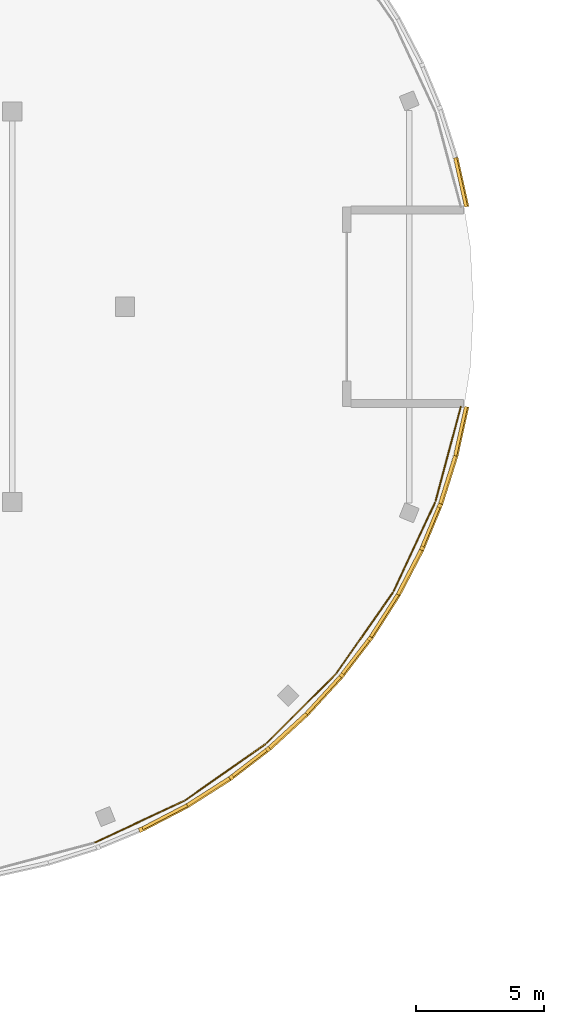
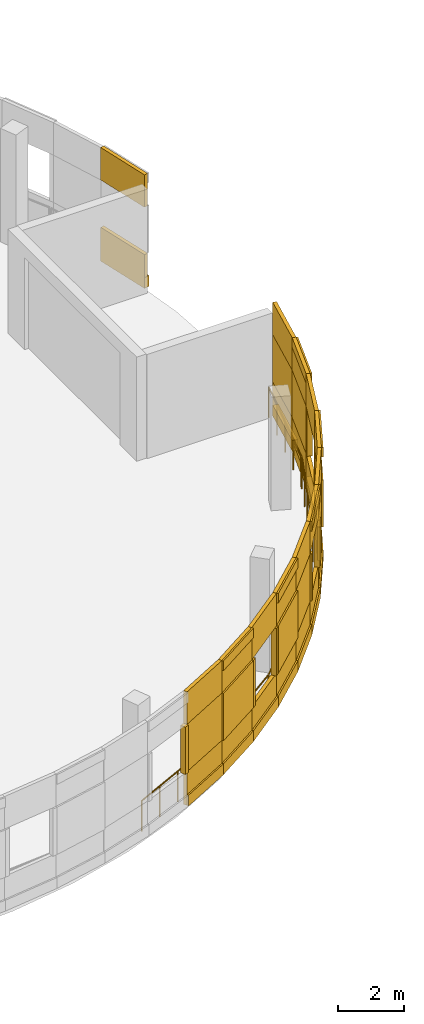
# One storey, part 137 of 140: 56 coverings, 6 railings.
"""IFC4 building model written with IfcOpenShell, lengths in metres."""

from ifc_helpers import new_model, si_unit, direction, frame, origin, origin_2d, place, context, subcontext, project, spatial, rectangle, circle, extrude, material, layer, layer_set, type_object, element, save


model = new_model("IFC4")

# Units and contexts
model_context = context("Model", 3, precision=1e-05, world=origin(), true_north=direction((0.0, 1.0)))
body_context = subcontext(model_context, "Body", "Model", "MODEL_VIEW")
ifc_project = project(units=[si_unit("LENGTHUNIT", "METRE"), si_unit("AREAUNIT", "SQUARE_METRE"), si_unit("VOLUMEUNIT", "CUBIC_METRE"), si_unit("PLANEANGLEUNIT", "RADIAN"), si_unit("MASSUNIT", "GRAM", prefix="KILO")], contexts=[model_context])

# Site, building, storey
site_placement = place(None, origin())
site = spatial("IfcSite", under=ifc_project, at=site_placement, CompositionType="ELEMENT")
building_placement = place(site_placement, origin())
building = spatial("IfcBuilding", under=site, at=building_placement, Name="Deido Ridge Mobility Hub", CompositionType="ELEMENT")
storey_placement = place(building_placement, origin())
storey = spatial("IfcBuildingStorey", under=building, at=storey_placement, Name="L00", CompositionType="ELEMENT", Elevation=0.0)

# Coverings
ifc_material_1 = material(Name="Fired clay brick masonry", Category="masonry")
ifc_layer = layer(ifc_material_1, 0.114990234375, Name="Fired clay brick masonry")
ifc_layer_set = layer_set([ifc_layer], Name="Fired clay brick masonry")
covering_type = type_object("IfcCoveringType", Name="COV-BRK-SCREEN-115", PredefinedType="CLADDING", material=ifc_layer_set)
covering_1_placement = place(storey_placement, frame((126.425048828125, 83.100341796875, 1.25), z_axis=(0.0, 0.0, 1.0), x_axis=(0.923872853285, 0.382699557047, 0.0)))
element("IfcCovering", 1, at=covering_1_placement, inside=storey, type_object=covering_type, Name="Curved brick jamb nib BKS1 (L00)", PredefinedType="CLADDING", context=body_context, shape_type="SweptSolid", body=[
    extrude(rectangle(XDim=0.152099609375, YDim=0.179931640625, at=origin_2d()), origin(), (0.0, 0.0, 1.0), 1.75),
])
covering_2_placement = place(storey_placement, frame((127.355224609375, 83.607666015625, 0.0), z_axis=(0.0, 0.0, 1.0), x_axis=(0.887018892077, 0.461733131905, 0.0)))
element("IfcCovering", 2, at=covering_2_placement, inside=storey, type_object=covering_type, Name="Open brickwork spandrel course BKS1 (L00)", PredefinedType="CLADDING", context=body_context, shape_type="SweptSolid", body=[
    extrude(rectangle(XDim=1.9619140625, YDim=0.125, at=origin_2d()), origin(), (0.0, 0.0, 1.0), 1.25),
])
covering_3_placement = place(storey_placement, frame((127.367919921875, 83.583251953125, 0.0), z_axis=(0.0, 0.0, 1.0), x_axis=(0.887018892077, 0.461733131905, 0.0)))
element("IfcCovering", 3, at=covering_3_placement, inside=storey, type_object=covering_type, Name="Raised brick relief belt BKS1 (L00)", PredefinedType="CLADDING", context=body_context, shape_type="SweptSolid", body=[
    extrude(rectangle(XDim=1.9619140625, YDim=0.179931640625, at=origin_2d()), origin(), (0.0, 0.0, 1.0), 0.39990234375),
])
covering_4_placement = place(storey_placement, frame((127.355224609375, 83.607666015625, 3.0), z_axis=(0.0, 0.0, 1.0), x_axis=(0.887018892077, 0.461733131905, 0.0)))
element("IfcCovering", 4, at=covering_4_placement, inside=storey, type_object=covering_type, Name="Open brickwork lintel course BKS1 (L00)", PredefinedType="CLADDING", context=body_context, shape_type="SweptSolid", body=[
    extrude(rectangle(XDim=1.9619140625, YDim=0.125, at=origin_2d()), origin(), (0.0, 0.0, 1.0), 1.199951171875),
])
covering_5_placement = place(storey_placement, frame((127.355224609375, 83.607666015625, 1.25), z_axis=(0.0, 0.0, 1.0), x_axis=(0.887018892077, 0.461733131905, 0.0)))
element("IfcCovering", 5, at=covering_5_placement, inside=storey, type_object=covering_type, Name="Curved raised brickwork pier BKS1 (L00)", PredefinedType="CLADDING", context=body_context, shape_type="SweptSolid", body=[
    extrude(rectangle(XDim=1.9619140625, YDim=0.125, at=origin_2d()), origin(), (0.0, 0.0, 1.0), 1.75),
])
covering_6_placement = place(storey_placement, frame((129.049560546875, 84.5859375, 0.0), z_axis=(0.0, 0.0, 1.0), x_axis=(0.843382068037, 0.537314328223, 0.0)))
element("IfcCovering", 6, at=covering_6_placement, inside=storey, type_object=covering_type, Name="Open brickwork spandrel course BKS1 (L00)", PredefinedType="CLADDING", context=body_context, shape_type="SweptSolid", body=[
    extrude(rectangle(XDim=1.9619140625, YDim=0.125, at=origin_2d()), origin(), (0.0, 0.0, 1.0), 1.25),
])
covering_7_placement = place(storey_placement, frame((129.064208984375, 84.562744140625, 0.0), z_axis=(0.0, 0.0, 1.0), x_axis=(0.843382068037, 0.537314328223, 0.0)))
element("IfcCovering", 7, at=covering_7_placement, inside=storey, type_object=covering_type, Name="Raised brick relief belt BKS1 (L00)", PredefinedType="CLADDING", context=body_context, shape_type="SweptSolid", body=[
    extrude(rectangle(XDim=1.9619140625, YDim=0.179931640625, at=origin_2d()), origin(), (0.0, 0.0, 1.0), 0.39990234375),
])
covering_8_placement = place(storey_placement, frame((129.049560546875, 84.5859375, 3.0), z_axis=(0.0, 0.0, 1.0), x_axis=(0.843382068037, 0.537314328223, 0.0)))
element("IfcCovering", 8, at=covering_8_placement, inside=storey, type_object=covering_type, Name="Open brickwork lintel course BKS1 (L00)", PredefinedType="CLADDING", context=body_context, shape_type="SweptSolid", body=[
    extrude(rectangle(XDim=1.9619140625, YDim=0.125, at=origin_2d()), origin(), (0.0, 0.0, 1.0), 1.199951171875),
])
covering_9_placement = place(storey_placement, frame((129.064208984375, 84.562744140625, 3.83984375), z_axis=(0.0, 0.0, 1.0), x_axis=(0.843382068037, 0.537314328223, 0.0)))
element("IfcCovering", 9, at=covering_9_placement, inside=storey, type_object=covering_type, Name="Raised brick relief cornice BKS1 (L00)", PredefinedType="CLADDING", context=body_context, shape_type="SweptSolid", body=[
    extrude(rectangle(XDim=1.9619140625, YDim=0.179931640625, at=origin_2d()), origin(), (0.0, 0.0, 1.0), 0.360107421875),
])
covering_10_placement = place(storey_placement, frame((129.064208984375, 84.562744140625, 1.25), z_axis=(0.0, 0.0, 1.0), x_axis=(0.843382068037, 0.537314328223, 0.0)))
element("IfcCovering", 10, at=covering_10_placement, inside=storey, type_object=covering_type, Name="Curved raised brickwork pier BKS1 (L00)", PredefinedType="CLADDING", context=body_context, shape_type="SweptSolid", body=[
    extrude(rectangle(XDim=1.9619140625, YDim=0.179931640625, at=origin_2d()), origin(), (0.0, 0.0, 1.0), 1.75),
])
covering_11_placement = place(storey_placement, frame((130.652099609375, 85.7080078125, 0.0), z_axis=(0.0, 0.0, 1.0), x_axis=(0.793353340291, 0.608761429009, 0.0)))
element("IfcCovering", 11, at=covering_11_placement, inside=storey, type_object=covering_type, Name="Open brickwork spandrel course BKS1 (L00)", PredefinedType="CLADDING", context=body_context, shape_type="SweptSolid", body=[
    extrude(rectangle(XDim=1.9619140625, YDim=0.125, at=origin_2d()), origin(), (0.0, 0.0, 1.0), 1.25),
])
covering_12_placement = place(storey_placement, frame((130.6689453125, 85.686279296875, 0.0), z_axis=(0.0, 0.0, 1.0), x_axis=(0.793353340291, 0.608761429009, 0.0)))
element("IfcCovering", 12, at=covering_12_placement, inside=storey, type_object=covering_type, Name="Raised brick relief belt BKS1 (L00)", PredefinedType="CLADDING", context=body_context, shape_type="SweptSolid", body=[
    extrude(rectangle(XDim=1.9619140625, YDim=0.179931640625, at=origin_2d()), origin(), (0.0, 0.0, 1.0), 0.39990234375),
])
covering_13_placement = place(storey_placement, frame((130.652099609375, 85.7080078125, 3.0), z_axis=(0.0, 0.0, 1.0), x_axis=(0.793353340291, 0.608761429009, 0.0)))
element("IfcCovering", 13, at=covering_13_placement, inside=storey, type_object=covering_type, Name="Open brickwork lintel course BKS1 (L00)", PredefinedType="CLADDING", context=body_context, shape_type="SweptSolid", body=[
    extrude(rectangle(XDim=1.9619140625, YDim=0.125, at=origin_2d()), origin(), (0.0, 0.0, 1.0), 1.199951171875),
])
for number, where, z_axis, x_axis, name in (
    (14, (129.9541015625, 85.1376953125, 1.25), (0.0, 0.0, 1.0), (0.793353340291, 0.608761429009, 0.0), "Curved brick jamb nib BKS1 (L00)"),
    (15, (131.3837890625, 86.23486328125, 1.25), (0.0, 0.0, 1.0), (0.793353340291, 0.608761429009, 0.0), "Curved brick jamb nib BKS1 (L00)"),
):
    element("IfcCovering", number, at=place(storey_placement, frame(where, z_axis=z_axis, x_axis=x_axis)), inside=storey, type_object=covering_type, Name=name, PredefinedType="CLADDING", context=body_context, shape_type="SweptSolid", body=[
        extrude(rectangle(XDim=0.152099609375, YDim=0.179931640625, at=origin_2d()), origin(), (0.0, 0.0, 1.0), 1.75),
    ])
covering_14_placement = place(storey_placement, frame((132.15087890625, 86.9658203125, 0.0), z_axis=(0.0, 0.0, 1.0), x_axis=(0.737289127971, 0.675577339596, 0.0)))
element("IfcCovering", 16, at=covering_14_placement, inside=storey, type_object=covering_type, Name="Open brickwork spandrel course BKS1 (L00)", PredefinedType="CLADDING", context=body_context, shape_type="SweptSolid", body=[
    extrude(rectangle(XDim=1.9619140625, YDim=0.125, at=origin_2d()), origin(), (0.0, 0.0, 1.0), 1.25),
])
covering_15_placement = place(storey_placement, frame((132.16943359375, 86.9453125, 0.0), z_axis=(0.0, 0.0, 1.0), x_axis=(0.737289127971, 0.675577339596, 0.0)))
element("IfcCovering", 17, at=covering_15_placement, inside=storey, type_object=covering_type, Name="Raised brick relief belt BKS1 (L00)", PredefinedType="CLADDING", context=body_context, shape_type="SweptSolid", body=[
    extrude(rectangle(XDim=1.9619140625, YDim=0.179931640625, at=origin_2d()), origin(), (0.0, 0.0, 1.0), 0.39990234375),
])
covering_16_placement = place(storey_placement, frame((132.15087890625, 86.9658203125, 3.0), z_axis=(0.0, 0.0, 1.0), x_axis=(0.737289127971, 0.675577339596, 0.0)))
element("IfcCovering", 18, at=covering_16_placement, inside=storey, type_object=covering_type, Name="Open brickwork lintel course BKS1 (L00)", PredefinedType="CLADDING", context=body_context, shape_type="SweptSolid", body=[
    extrude(rectangle(XDim=1.9619140625, YDim=0.125, at=origin_2d()), origin(), (0.0, 0.0, 1.0), 1.199951171875),
])
covering_17_placement = place(storey_placement, frame((132.16943359375, 86.9453125, 3.83984375), z_axis=(0.0, 0.0, 1.0), x_axis=(0.737289127971, 0.675577339596, 0.0)))
element("IfcCovering", 19, at=covering_17_placement, inside=storey, type_object=covering_type, Name="Raised brick relief cornice BKS1 (L00)", PredefinedType="CLADDING", context=body_context, shape_type="SweptSolid", body=[
    extrude(rectangle(XDim=1.9619140625, YDim=0.179931640625, at=origin_2d()), origin(), (0.0, 0.0, 1.0), 0.360107421875),
])
covering_18_placement = place(storey_placement, frame((132.16943359375, 86.9453125, 1.25), z_axis=(0.0, 0.0, 1.0), x_axis=(0.737289127971, 0.675577339596, 0.0)))
element("IfcCovering", 20, at=covering_18_placement, inside=storey, type_object=covering_type, Name="Curved raised brickwork pier BKS1 (L00)", PredefinedType="CLADDING", context=body_context, shape_type="SweptSolid", body=[
    extrude(rectangle(XDim=1.9619140625, YDim=0.179931640625, at=origin_2d()), origin(), (0.0, 0.0, 1.0), 1.75),
])
covering_19_placement = place(storey_placement, frame((133.5341796875, 88.34912109375, 0.0), z_axis=(0.0, 0.0, 1.0), x_axis=(0.675577339596, 0.737289127971, 0.0)))
element("IfcCovering", 21, at=covering_19_placement, inside=storey, type_object=covering_type, Name="Open brickwork spandrel course BKS1 (L00)", PredefinedType="CLADDING", context=body_context, shape_type="SweptSolid", body=[
    extrude(rectangle(XDim=1.9619140625, YDim=0.125, at=origin_2d()), origin(), (0.0, 0.0, 1.0), 1.25),
])
covering_20_placement = place(storey_placement, frame((133.5546875, 88.33056640625, 0.0), z_axis=(0.0, 0.0, 1.0), x_axis=(0.675577339596, 0.737289127971, 0.0)))
element("IfcCovering", 22, at=covering_20_placement, inside=storey, type_object=covering_type, Name="Raised brick relief belt BKS1 (L00)", PredefinedType="CLADDING", context=body_context, shape_type="SweptSolid", body=[
    extrude(rectangle(XDim=1.9619140625, YDim=0.179931640625, at=origin_2d()), origin(), (0.0, 0.0, 1.0), 0.39990234375),
])
covering_21_placement = place(storey_placement, frame((133.5341796875, 88.34912109375, 3.0), z_axis=(0.0, 0.0, 1.0), x_axis=(0.675577339596, 0.737289127971, 0.0)))
element("IfcCovering", 23, at=covering_21_placement, inside=storey, type_object=covering_type, Name="Open brickwork lintel course BKS1 (L00)", PredefinedType="CLADDING", context=body_context, shape_type="SweptSolid", body=[
    extrude(rectangle(XDim=1.9619140625, YDim=0.125, at=origin_2d()), origin(), (0.0, 0.0, 1.0), 1.199951171875),
])
covering_22_placement = place(storey_placement, frame((133.5341796875, 88.34912109375, 1.25), z_axis=(0.0, 0.0, 1.0), x_axis=(0.675577339596, 0.737289127971, 0.0)))
element("IfcCovering", 24, at=covering_22_placement, inside=storey, type_object=covering_type, Name="Curved raised brickwork pier BKS1 (L00)", PredefinedType="CLADDING", context=body_context, shape_type="SweptSolid", body=[
    extrude(rectangle(XDim=1.9619140625, YDim=0.125, at=origin_2d()), origin(), (0.0, 0.0, 1.0), 1.75),
])
covering_23_placement = place(storey_placement, frame((134.7919921875, 89.847900390625, 0.0), z_axis=(0.0, 0.0, 1.0), x_axis=(0.608761429009, 0.793353340291, 0.0)))
element("IfcCovering", 25, at=covering_23_placement, inside=storey, type_object=covering_type, Name="Open brickwork spandrel course BKS1 (L00)", PredefinedType="CLADDING", context=body_context, shape_type="SweptSolid", body=[
    extrude(rectangle(XDim=1.9619140625, YDim=0.125, at=origin_2d()), origin(), (0.0, 0.0, 1.0), 1.25),
])
covering_24_placement = place(storey_placement, frame((134.813720703125, 89.8310546875, 0.0), z_axis=(0.0, 0.0, 1.0), x_axis=(0.608761429009, 0.793353340291, 0.0)))
element("IfcCovering", 26, at=covering_24_placement, inside=storey, type_object=covering_type, Name="Raised brick relief belt BKS1 (L00)", PredefinedType="CLADDING", context=body_context, shape_type="SweptSolid", body=[
    extrude(rectangle(XDim=1.9619140625, YDim=0.179931640625, at=origin_2d()), origin(), (0.0, 0.0, 1.0), 0.39990234375),
])
covering_25_placement = place(storey_placement, frame((134.7919921875, 89.847900390625, 3.0), z_axis=(0.0, 0.0, 1.0), x_axis=(0.608761429009, 0.793353340291, 0.0)))
element("IfcCovering", 27, at=covering_25_placement, inside=storey, type_object=covering_type, Name="Open brickwork lintel course BKS1 (L00)", PredefinedType="CLADDING", context=body_context, shape_type="SweptSolid", body=[
    extrude(rectangle(XDim=1.9619140625, YDim=0.125, at=origin_2d()), origin(), (0.0, 0.0, 1.0), 1.199951171875),
])
covering_26_placement = place(storey_placement, frame((134.813720703125, 89.8310546875, 3.83984375), z_axis=(0.0, 0.0, 1.0), x_axis=(0.608761429009, 0.793353340291, 0.0)))
element("IfcCovering", 28, at=covering_26_placement, inside=storey, type_object=covering_type, Name="Raised brick relief cornice BKS1 (L00)", PredefinedType="CLADDING", context=body_context, shape_type="SweptSolid", body=[
    extrude(rectangle(XDim=1.9619140625, YDim=0.179931640625, at=origin_2d()), origin(), (0.0, 0.0, 1.0), 0.360107421875),
])
for number, where, z_axis, x_axis, name in (
    (29, (134.26513671875, 89.1162109375, 1.25), (0.0, 0.0, 1.0), (0.608761429009, 0.793353340291, 0.0), "Curved brick jamb nib BKS1 (L00)"),
    (30, (135.3623046875, 90.5458984375, 1.25), (0.0, 0.0, 1.0), (0.608761429009, 0.793353340291, 0.0), "Curved brick jamb nib BKS1 (L00)"),
):
    element("IfcCovering", number, at=place(storey_placement, frame(where, z_axis=z_axis, x_axis=x_axis)), inside=storey, type_object=covering_type, Name=name, PredefinedType="CLADDING", context=body_context, shape_type="SweptSolid", body=[
        extrude(rectangle(XDim=0.152099609375, YDim=0.179931640625, at=origin_2d()), origin(), (0.0, 0.0, 1.0), 1.75),
    ])
covering_27_placement = place(storey_placement, frame((135.9140625, 91.450439453125, 0.0), z_axis=(0.0, 0.0, 1.0), x_axis=(0.537314328223, 0.843382068037, 0.0)))
element("IfcCovering", 31, at=covering_27_placement, inside=storey, type_object=covering_type, Name="Open brickwork spandrel course BKS1 (L00)", PredefinedType="CLADDING", context=body_context, shape_type="SweptSolid", body=[
    extrude(rectangle(XDim=1.9619140625, YDim=0.125, at=origin_2d()), origin(), (0.0, 0.0, 1.0), 1.25),
])
covering_28_placement = place(storey_placement, frame((135.937255859375, 91.435791015625, 0.0), z_axis=(0.0, 0.0, 1.0), x_axis=(0.537314328223, 0.843382068037, 0.0)))
element("IfcCovering", 32, at=covering_28_placement, inside=storey, type_object=covering_type, Name="Raised brick relief belt BKS1 (L00)", PredefinedType="CLADDING", context=body_context, shape_type="SweptSolid", body=[
    extrude(rectangle(XDim=1.9619140625, YDim=0.179931640625, at=origin_2d()), origin(), (0.0, 0.0, 1.0), 0.39990234375),
])
covering_29_placement = place(storey_placement, frame((135.9140625, 91.450439453125, 3.0), z_axis=(0.0, 0.0, 1.0), x_axis=(0.537314328223, 0.843382068037, 0.0)))
element("IfcCovering", 33, at=covering_29_placement, inside=storey, type_object=covering_type, Name="Open brickwork lintel course BKS1 (L00)", PredefinedType="CLADDING", context=body_context, shape_type="SweptSolid", body=[
    extrude(rectangle(XDim=1.9619140625, YDim=0.125, at=origin_2d()), origin(), (0.0, 0.0, 1.0), 1.199951171875),
])
covering_30_placement = place(storey_placement, frame((135.9140625, 91.450439453125, 1.25), z_axis=(0.0, 0.0, 1.0), x_axis=(0.537314328223, 0.843382068037, 0.0)))
element("IfcCovering", 34, at=covering_30_placement, inside=storey, type_object=covering_type, Name="Curved raised brickwork pier BKS1 (L00)", PredefinedType="CLADDING", context=body_context, shape_type="SweptSolid", body=[
    extrude(rectangle(XDim=1.9619140625, YDim=0.125, at=origin_2d()), origin(), (0.0, 0.0, 1.0), 1.75),
])
covering_31_placement = place(storey_placement, frame((136.892333984375, 93.144775390625, 0.0), z_axis=(0.0, 0.0, 1.0), x_axis=(0.461733131905, 0.887018892077, 0.0)))
element("IfcCovering", 35, at=covering_31_placement, inside=storey, type_object=covering_type, Name="Open brickwork spandrel course BKS1 (L00)", PredefinedType="CLADDING", context=body_context, shape_type="SweptSolid", body=[
    extrude(rectangle(XDim=1.9619140625, YDim=0.125, at=origin_2d()), origin(), (0.0, 0.0, 1.0), 1.25),
])
covering_32_placement = place(storey_placement, frame((136.916748046875, 93.132080078125, 0.0), z_axis=(0.0, 0.0, 1.0), x_axis=(0.461733131905, 0.887018892077, 0.0)))
element("IfcCovering", 36, at=covering_32_placement, inside=storey, type_object=covering_type, Name="Raised brick relief belt BKS1 (L00)", PredefinedType="CLADDING", context=body_context, shape_type="SweptSolid", body=[
    extrude(rectangle(XDim=1.9619140625, YDim=0.179931640625, at=origin_2d()), origin(), (0.0, 0.0, 1.0), 0.39990234375),
])
covering_33_placement = place(storey_placement, frame((136.892333984375, 93.144775390625, 3.0), z_axis=(0.0, 0.0, 1.0), x_axis=(0.461733131905, 0.887018892077, 0.0)))
element("IfcCovering", 37, at=covering_33_placement, inside=storey, type_object=covering_type, Name="Open brickwork lintel course BKS1 (L00)", PredefinedType="CLADDING", context=body_context, shape_type="SweptSolid", body=[
    extrude(rectangle(XDim=1.9619140625, YDim=0.125, at=origin_2d()), origin(), (0.0, 0.0, 1.0), 1.199951171875),
])
covering_34_placement = place(storey_placement, frame((136.916748046875, 93.132080078125, 3.83984375), z_axis=(0.0, 0.0, 1.0), x_axis=(0.461733131905, 0.887018892077, 0.0)))
element("IfcCovering", 38, at=covering_34_placement, inside=storey, type_object=covering_type, Name="Raised brick relief cornice BKS1 (L00)", PredefinedType="CLADDING", context=body_context, shape_type="SweptSolid", body=[
    extrude(rectangle(XDim=1.9619140625, YDim=0.179931640625, at=origin_2d()), origin(), (0.0, 0.0, 1.0), 0.360107421875),
])
covering_35_placement = place(storey_placement, frame((136.916748046875, 93.132080078125, 1.25), z_axis=(0.0, 0.0, 1.0), x_axis=(0.461733131905, 0.887018892077, 0.0)))
element("IfcCovering", 39, at=covering_35_placement, inside=storey, type_object=covering_type, Name="Curved raised brickwork pier BKS1 (L00)", PredefinedType="CLADDING", context=body_context, shape_type="SweptSolid", body=[
    extrude(rectangle(XDim=1.9619140625, YDim=0.179931640625, at=origin_2d()), origin(), (0.0, 0.0, 1.0), 1.75),
])
covering_36_placement = place(storey_placement, frame((137.718994140625, 94.91796875, 0.0), z_axis=(0.0, 0.0, 1.0), x_axis=(0.382699557047, 0.923872853285, 0.0)))
element("IfcCovering", 40, at=covering_36_placement, inside=storey, type_object=covering_type, Name="Open brickwork spandrel course BKS1 (L00)", PredefinedType="CLADDING", context=body_context, shape_type="SweptSolid", body=[
    extrude(rectangle(XDim=1.9619140625, YDim=0.125, at=origin_2d()), origin(), (0.0, 0.0, 1.0), 1.25),
])
covering_37_placement = place(storey_placement, frame((137.744384765625, 94.9072265625, 0.0), z_axis=(0.0, 0.0, 1.0), x_axis=(0.382699557047, 0.923872853285, 0.0)))
element("IfcCovering", 41, at=covering_37_placement, inside=storey, type_object=covering_type, Name="Raised brick relief belt BKS1 (L00)", PredefinedType="CLADDING", context=body_context, shape_type="SweptSolid", body=[
    extrude(rectangle(XDim=1.9619140625, YDim=0.179931640625, at=origin_2d()), origin(), (0.0, 0.0, 1.0), 0.39990234375),
])
covering_38_placement = place(storey_placement, frame((137.718994140625, 94.91796875, 3.0), z_axis=(0.0, 0.0, 1.0), x_axis=(0.382699557047, 0.923872853285, 0.0)))
element("IfcCovering", 42, at=covering_38_placement, inside=storey, type_object=covering_type, Name="Open brickwork lintel course BKS1 (L00)", PredefinedType="CLADDING", context=body_context, shape_type="SweptSolid", body=[
    extrude(rectangle(XDim=1.9619140625, YDim=0.125, at=origin_2d()), origin(), (0.0, 0.0, 1.0), 1.199951171875),
])
for number, where, z_axis, x_axis, name in (
    (43, (137.399658203125, 94.074951171875, 1.25), (0.0, 0.0, 1.0), (0.382699557047, 0.923872853285, 0.0), "Curved brick jamb nib BKS1 (L00)"),
    (44, (138.08935546875, 95.73974609375, 1.25), (0.0, 0.0, 1.0), (0.382699557047, 0.923872853285, 0.0), "Curved brick jamb nib BKS1 (L00)"),
):
    element("IfcCovering", number, at=place(storey_placement, frame(where, z_axis=z_axis, x_axis=x_axis)), inside=storey, type_object=covering_type, Name=name, PredefinedType="CLADDING", context=body_context, shape_type="SweptSolid", body=[
        extrude(rectangle(XDim=0.152099609375, YDim=0.179931640625, at=origin_2d()), origin(), (0.0, 0.0, 1.0), 1.75),
    ])
covering_39_placement = place(storey_placement, frame((138.38818359375, 96.75634765625, 0.0), z_axis=(0.0, 0.0, 1.0), x_axis=(0.300672508319, 0.95372744678, 0.0)))
element("IfcCovering", 45, at=covering_39_placement, inside=storey, type_object=covering_type, Name="Open brickwork spandrel course BKS1 (L00)", PredefinedType="CLADDING", context=body_context, shape_type="SweptSolid", body=[
    extrude(rectangle(XDim=1.9619140625, YDim=0.125, at=origin_2d()), origin(), (0.0, 0.0, 1.0), 1.25),
])
covering_40_placement = place(storey_placement, frame((138.414306640625, 96.748046875, 0.0), z_axis=(0.0, 0.0, 1.0), x_axis=(0.300672508319, 0.95372744678, 0.0)))
element("IfcCovering", 46, at=covering_40_placement, inside=storey, type_object=covering_type, Name="Raised brick relief belt BKS1 (L00)", PredefinedType="CLADDING", context=body_context, shape_type="SweptSolid", body=[
    extrude(rectangle(XDim=1.9619140625, YDim=0.179931640625, at=origin_2d()), origin(), (0.0, 0.0, 1.0), 0.39990234375),
])
covering_41_placement = place(storey_placement, frame((138.38818359375, 96.75634765625, 3.0), z_axis=(0.0, 0.0, 1.0), x_axis=(0.300672508319, 0.95372744678, 0.0)))
element("IfcCovering", 47, at=covering_41_placement, inside=storey, type_object=covering_type, Name="Open brickwork lintel course BKS1 (L00)", PredefinedType="CLADDING", context=body_context, shape_type="SweptSolid", body=[
    extrude(rectangle(XDim=1.9619140625, YDim=0.125, at=origin_2d()), origin(), (0.0, 0.0, 1.0), 1.199951171875),
])
covering_42_placement = place(storey_placement, frame((138.414306640625, 96.748046875, 3.83984375), z_axis=(0.0, 0.0, 1.0), x_axis=(0.300672508319, 0.95372744678, 0.0)))
element("IfcCovering", 48, at=covering_42_placement, inside=storey, type_object=covering_type, Name="Raised brick relief cornice BKS1 (L00)", PredefinedType="CLADDING", context=body_context, shape_type="SweptSolid", body=[
    extrude(rectangle(XDim=1.9619140625, YDim=0.179931640625, at=origin_2d()), origin(), (0.0, 0.0, 1.0), 0.360107421875),
])
covering_43_placement = place(storey_placement, frame((138.414306640625, 96.748046875, 1.25), z_axis=(0.0, 0.0, 1.0), x_axis=(0.300672508319, 0.95372744678, 0.0)))
element("IfcCovering", 49, at=covering_43_placement, inside=storey, type_object=covering_type, Name="Curved raised brickwork pier BKS1 (L00)", PredefinedType="CLADDING", context=body_context, shape_type="SweptSolid", body=[
    extrude(rectangle(XDim=1.9619140625, YDim=0.179931640625, at=origin_2d()), origin(), (0.0, 0.0, 1.0), 1.75),
])
covering_44_placement = place(storey_placement, frame((138.89453125, 98.64599609375, 0.0), z_axis=(0.0, 0.0, 1.0), x_axis=(0.216456653485, 0.976292229387, 0.0)))
element("IfcCovering", 50, at=covering_44_placement, inside=storey, type_object=covering_type, Name="Open brickwork spandrel course BKS1 (L00)", PredefinedType="CLADDING", context=body_context, shape_type="SweptSolid", body=[
    extrude(rectangle(XDim=1.9619140625, YDim=0.125, at=origin_2d()), origin(), (0.0, 0.0, 1.0), 1.25),
])
covering_45_placement = place(storey_placement, frame((138.92138671875, 98.64013671875, 0.0), z_axis=(0.0, 0.0, 1.0), x_axis=(0.216456653485, 0.976292229387, 0.0)))
element("IfcCovering", 51, at=covering_45_placement, inside=storey, type_object=covering_type, Name="Raised brick relief belt BKS1 (L00)", PredefinedType="CLADDING", context=body_context, shape_type="SweptSolid", body=[
    extrude(rectangle(XDim=1.9619140625, YDim=0.179931640625, at=origin_2d()), origin(), (0.0, 0.0, 1.0), 0.39990234375),
])
covering_46_placement = place(storey_placement, frame((138.89453125, 98.64599609375, 3.0), z_axis=(0.0, 0.0, 1.0), x_axis=(0.216456653485, 0.976292229387, 0.0)))
element("IfcCovering", 52, at=covering_46_placement, inside=storey, type_object=covering_type, Name="Open brickwork lintel course BKS1 (L00)", PredefinedType="CLADDING", context=body_context, shape_type="SweptSolid", body=[
    extrude(rectangle(XDim=1.9619140625, YDim=0.125, at=origin_2d()), origin(), (0.0, 0.0, 1.0), 1.199951171875),
])
covering_47_placement = place(storey_placement, frame((138.89453125, 98.64599609375, 1.25), z_axis=(0.0, 0.0, 1.0), x_axis=(0.216456653485, 0.976292229387, 0.0)))
element("IfcCovering", 53, at=covering_47_placement, inside=storey, type_object=covering_type, Name="Curved raised brickwork pier BKS1 (L00)", PredefinedType="CLADDING", context=body_context, shape_type="SweptSolid", body=[
    extrude(rectangle(XDim=1.9619140625, YDim=0.125, at=origin_2d()), origin(), (0.0, 0.0, 1.0), 1.75),
])
covering_48_placement = place(storey_placement, frame((138.89453125, 108.35400390625, 0.0), z_axis=(0.0, 0.0, 1.0), x_axis=(-0.216456653485, 0.976292229387, 0.0)))
element("IfcCovering", 54, at=covering_48_placement, inside=storey, type_object=covering_type, Name="Open brickwork spandrel course BKS1 (L00)", PredefinedType="CLADDING", context=body_context, shape_type="SweptSolid", body=[
    extrude(rectangle(XDim=1.9619140625, YDim=0.125, at=origin_2d()), origin(), (0.0, 0.0, 1.0), 1.25),
])
covering_49_placement = place(storey_placement, frame((138.92138671875, 108.35986328125, 0.0), z_axis=(0.0, 0.0, 1.0), x_axis=(-0.216456653485, 0.976292229387, 0.0)))
element("IfcCovering", 55, at=covering_49_placement, inside=storey, type_object=covering_type, Name="Raised brick relief belt BKS1 (L00)", PredefinedType="CLADDING", context=body_context, shape_type="SweptSolid", body=[
    extrude(rectangle(XDim=1.9619140625, YDim=0.179931640625, at=origin_2d()), origin(), (0.0, 0.0, 1.0), 0.39990234375),
])
covering_50_placement = place(storey_placement, frame((138.89453125, 108.35400390625, 3.0), z_axis=(0.0, 0.0, 1.0), x_axis=(-0.216456653485, 0.976292229387, 0.0)))
element("IfcCovering", 56, at=covering_50_placement, inside=storey, type_object=covering_type, Name="Open brickwork lintel course BKS1 (L00)", PredefinedType="CLADDING", context=body_context, shape_type="SweptSolid", body=[
    extrude(rectangle(XDim=1.9619140625, YDim=0.125, at=origin_2d()), origin(), (0.0, 0.0, 1.0), 1.199951171875),
])

# Railings
ifc_material_2 = material(Name="Galvanised steel work", Category="steel")
railing_type = type_object("IfcRailingType", Name="RL-GRD-EXT-1150", PredefinedType="GUARDRAIL", material=ifc_material_2)
railing_1_placement = place(storey_placement, frame((124.646240234375, 82.608642578125, 0.0)))
element("IfcRailing", 57, at=railing_1_placement, inside=storey, type_object=railing_type, Name="Parking drum perimeter guard (L00)", PredefinedType="GUARDRAIL", context=body_context, shape_type="SweptSolid", body=[
    extrude(circle(Radius=0.02392578125, at=origin_2d()), frame((0.0, 0.0, 1.1259765625), z_axis=(0.906281639574, 0.422674330627, 0.0), x_axis=(-0.422674330627, 0.906281639574, 0.0)), (0.0, 0.0, 1.0), 3.79833984375),
    extrude(circle(Radius=0.02099609375, at=origin_2d()), origin(), (0.0, 0.0, 1.0), 1.101806640625),
    extrude(circle(Radius=0.02099609375, at=origin_2d()), frame((0.860595703125, 0.4013671875, 0.0)), (0.0, 0.0, 1.0), 1.101806640625),
    extrude(circle(Radius=0.02099609375, at=origin_2d()), frame((1.72119140625, 0.802734375, 0.0)), (0.0, 0.0, 1.0), 1.101806640625),
    extrude(circle(Radius=0.02099609375, at=origin_2d()), frame((2.581787109375, 1.2041015625, 0.0)), (0.0, 0.0, 1.0), 1.101806640625),
    extrude(circle(Radius=0.02099609375, at=origin_2d()), frame((3.4423828125, 1.60546875, 0.0)), (0.0, 0.0, 1.0), 1.101806640625),
])
railing_2_placement = place(storey_placement, frame((128.15771484375, 84.25390625, 0.0)))
element("IfcRailing", 58, at=railing_2_placement, inside=storey, type_object=railing_type, Name="Parking drum perimeter guard (L00)", PredefinedType="GUARDRAIL", context=body_context, shape_type="SweptSolid", body=[
    extrude(circle(Radius=0.02392578125, at=origin_2d()), frame((0.0, 0.0, 1.1259765625), z_axis=(0.819156425271, 0.573570179609, 0.0), x_axis=(-0.573570179609, 0.819156425271, 0.0)), (0.0, 0.0, 1.0), 3.798583984375),
    extrude(circle(Radius=0.02099609375, at=origin_2d()), origin(), (0.0, 0.0, 1.0), 1.101806640625),
    extrude(circle(Radius=0.02099609375, at=origin_2d()), frame((0.77783203125, 0.544677734375, 0.0)), (0.0, 0.0, 1.0), 1.101806640625),
    extrude(circle(Radius=0.02099609375, at=origin_2d()), frame((1.5556640625, 1.08935546875, 0.0)), (0.0, 0.0, 1.0), 1.101806640625),
    extrude(circle(Radius=0.02099609375, at=origin_2d()), frame((2.333740234375, 1.634033203125, 0.0)), (0.0, 0.0, 1.0), 1.101806640625),
    extrude(circle(Radius=0.02099609375, at=origin_2d()), frame((3.111572265625, 2.1787109375, 0.0)), (0.0, 0.0, 1.0), 1.101806640625),
])
railing_3_placement = place(storey_placement, frame((131.330322265625, 86.48388671875, 0.0)))
element("IfcRailing", 59, at=railing_3_placement, inside=storey, type_object=railing_type, Name="Parking drum perimeter guard (L00)", PredefinedType="GUARDRAIL", context=body_context, shape_type="SweptSolid", body=[
    extrude(circle(Radius=0.02392578125, at=origin_2d()), frame((0.0, 0.0, 1.1259765625), z_axis=(0.707106781187, 0.707106781187, 0.0), x_axis=(-0.707106781187, 0.707106781187, 0.0)), (0.0, 0.0, 1.0), 3.79833984375),
    extrude(circle(Radius=0.02099609375, at=origin_2d()), origin(), (0.0, 0.0, 1.0), 1.101806640625),
    extrude(circle(Radius=0.02099609375, at=origin_2d()), frame((0.67138671875, 0.67138671875, 0.0)), (0.0, 0.0, 1.0), 1.101806640625),
    extrude(circle(Radius=0.02099609375, at=origin_2d()), frame((1.3427734375, 1.3427734375, 0.0)), (0.0, 0.0, 1.0), 1.101806640625),
    extrude(circle(Radius=0.02099609375, at=origin_2d()), frame((2.014404296875, 2.014404296875, 0.0)), (0.0, 0.0, 1.0), 1.101806640625),
    extrude(circle(Radius=0.02099609375, at=origin_2d()), frame((2.685791015625, 2.685791015625, 0.0)), (0.0, 0.0, 1.0), 1.101806640625),
])
railing_4_placement = place(storey_placement, frame((134.0673828125, 89.230712890625, 0.0)))
element("IfcRailing", 60, at=railing_4_placement, inside=storey, type_object=railing_type, Name="Parking drum perimeter guard (L00)", PredefinedType="GUARDRAIL", context=body_context, shape_type="SweptSolid", body=[
    extrude(circle(Radius=0.02392578125, at=origin_2d()), frame((0.0, 0.0, 1.1259765625), z_axis=(0.573570179609, 0.819156425271, 0.0), x_axis=(-0.819156425271, 0.573570179609, 0.0)), (0.0, 0.0, 1.0), 3.798583984375),
    extrude(circle(Radius=0.02099609375, at=origin_2d()), origin(), (0.0, 0.0, 1.0), 1.101806640625),
    extrude(circle(Radius=0.02099609375, at=origin_2d()), frame((0.544677734375, 0.77783203125, 0.0)), (0.0, 0.0, 1.0), 1.101806640625),
    extrude(circle(Radius=0.02099609375, at=origin_2d()), frame((1.08935546875, 1.5556640625, 0.0)), (0.0, 0.0, 1.0), 1.101806640625),
    extrude(circle(Radius=0.02099609375, at=origin_2d()), frame((1.634033203125, 2.333740234375, 0.0)), (0.0, 0.0, 1.0), 1.101806640625),
    extrude(circle(Radius=0.02099609375, at=origin_2d()), frame((2.1787109375, 3.111572265625, 0.0)), (0.0, 0.0, 1.0), 1.101806640625),
])
railing_5_placement = place(storey_placement, frame((136.285888671875, 92.411376953125, 0.0)))
element("IfcRailing", 61, at=railing_5_placement, inside=storey, type_object=railing_type, Name="Parking drum perimeter guard (L00)", PredefinedType="GUARDRAIL", context=body_context, shape_type="SweptSolid", body=[
    extrude(circle(Radius=0.02392578125, at=origin_2d()), frame((0.0, 0.0, 1.1259765625), z_axis=(0.422674330627, 0.906281639574, 0.0), x_axis=(-0.906281639574, 0.422674330627, 0.0)), (0.0, 0.0, 1.0), 3.79833984375),
    extrude(circle(Radius=0.02099609375, at=origin_2d()), origin(), (0.0, 0.0, 1.0), 1.101806640625),
    extrude(circle(Radius=0.02099609375, at=origin_2d()), frame((0.4013671875, 0.860595703125, 0.0)), (0.0, 0.0, 1.0), 1.101806640625),
    extrude(circle(Radius=0.02099609375, at=origin_2d()), frame((0.802734375, 1.72119140625, 0.0)), (0.0, 0.0, 1.0), 1.101806640625),
    extrude(circle(Radius=0.02099609375, at=origin_2d()), frame((1.2041015625, 2.581787109375, 0.0)), (0.0, 0.0, 1.0), 1.101806640625),
    extrude(circle(Radius=0.02099609375, at=origin_2d()), frame((1.60546875, 3.4423828125, 0.0)), (0.0, 0.0, 1.0), 1.101806640625),
])
railing_6_placement = place(storey_placement, frame((137.918701171875, 95.9287109375, 0.0)))
element("IfcRailing", 62, at=railing_6_placement, inside=storey, type_object=railing_type, Name="Parking drum perimeter guard (L00)", PredefinedType="GUARDRAIL", context=body_context, shape_type="SweptSolid", body=[
    extrude(circle(Radius=0.02392578125, at=origin_2d()), frame((0.0, 0.0, 1.1259765625), z_axis=(0.258774639064, 0.965937723757, 0.0), x_axis=(-0.965937723757, 0.258774639064, 0.0)), (0.0, 0.0, 1.0), 3.79833984375),
    extrude(circle(Radius=0.02099609375, at=origin_2d()), origin(), (0.0, 0.0, 1.0), 1.101806640625),
    extrude(circle(Radius=0.02099609375, at=origin_2d()), frame((0.24560546875, 0.917236328125, 0.0)), (0.0, 0.0, 1.0), 1.101806640625),
    extrude(circle(Radius=0.02099609375, at=origin_2d()), frame((0.491455078125, 1.83447265625, 0.0)), (0.0, 0.0, 1.0), 1.101806640625),
    extrude(circle(Radius=0.02099609375, at=origin_2d()), frame((0.7373046875, 2.751708984375, 0.0)), (0.0, 0.0, 1.0), 1.101806640625),
    extrude(circle(Radius=0.02099609375, at=origin_2d()), frame((0.98291015625, 3.6689453125, 0.0)), (0.0, 0.0, 1.0), 1.101806640625),
])

save(model, "model.ifc")
